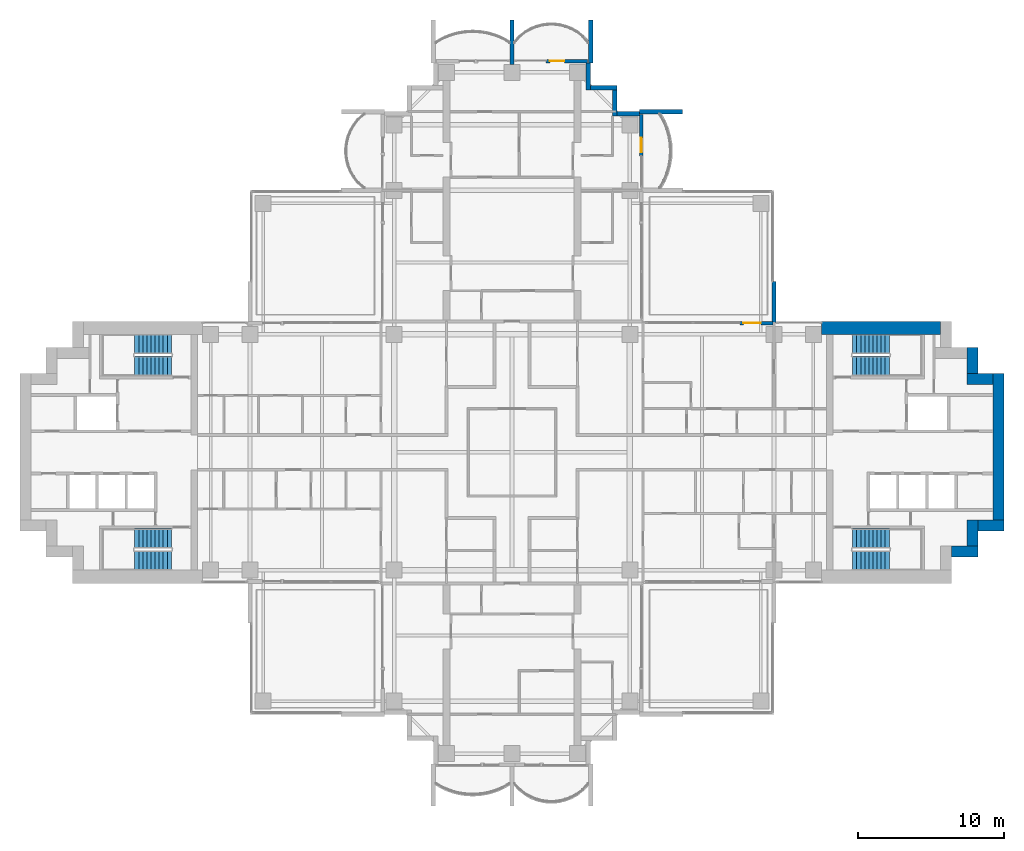
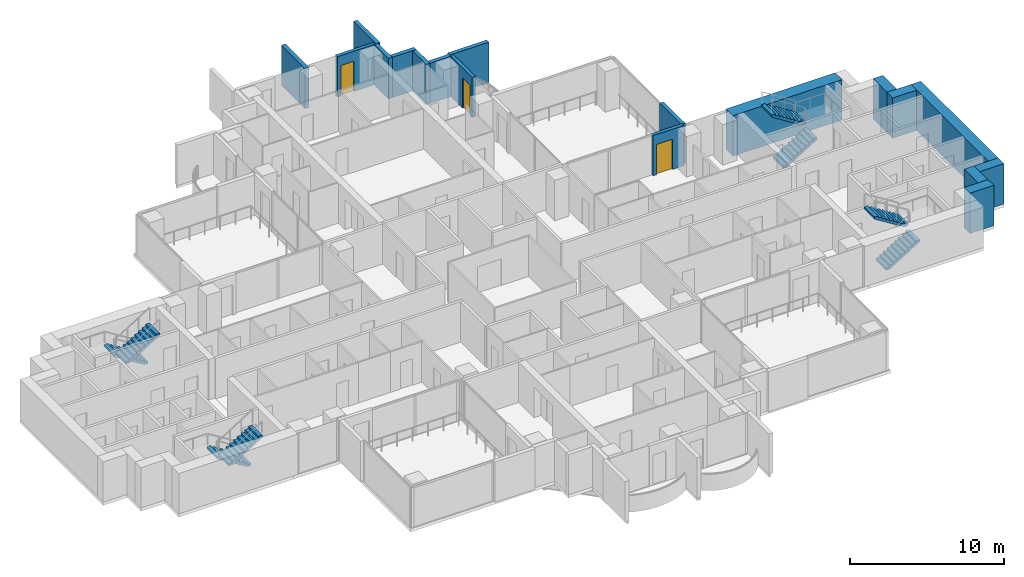
# One storey, part 15 of 19: 18 walls, 8 stair flights, 3 doors, 3 openings, 4 elements without a shape of their own.
"""IFC4 building model written with IfcOpenShell, lengths in metres."""

from ifc_helpers import new_model, si_unit, direction, frame, frame_2d, origin, place, context, subcontext, project, spatial, polyline, rectangle, outline, extrude, material, layer, layer_set, type_object, element, fill, aggregate, save


model = new_model("IFC4")

# Units and contexts
model_context = context("Model", 3, precision=1e-05, world=origin(), true_north=direction((0.0, 1.0)))
body_context = subcontext(model_context, "Body", "Model", "MODEL_VIEW")
ifc_project = project(units=[si_unit("LENGTHUNIT", "METRE"), si_unit("AREAUNIT", "SQUARE_METRE"), si_unit("VOLUMEUNIT", "CUBIC_METRE"), si_unit("PLANEANGLEUNIT", "RADIAN"), si_unit("MASSUNIT", "GRAM", prefix="KILO")], contexts=[model_context])

# Site, building, storey
site_placement = place(None, origin())
site = spatial("IfcSite", under=ifc_project, at=site_placement, CompositionType="ELEMENT")
building_placement = place(site_placement, origin())
building = spatial("IfcBuilding", under=site, at=building_placement, Name="Perihelion Cross Residences", CompositionType="ELEMENT")
storey_placement = place(building_placement, frame((0.0, 0.0, 151.39990234375)))
storey = spatial("IfcBuildingStorey", under=building, at=storey_placement, Name="L37", CompositionType="ELEMENT", Elevation=151.39990234375)

# Wall, opening, door
ifc_material_1 = material(Name="Concrete C30/37, bronze-clad", Category="concrete")
ifc_layer_1 = layer(ifc_material_1, 0.25)
ifc_layer_set_1 = layer_set([ifc_layer_1], Name="Bronze-clad pier wall 250")
wall_type_1 = type_object("IfcWallType", Name="Bronze-clad pier wall 250", PredefinedType="SOLIDWALL", material=ifc_layer_set_1)
wall_1_placement = place(storey_placement, frame((17.93994140625, 8.875, 0.0), z_axis=(0.0, 0.0, 1.0), x_axis=(-1.0, 0.0, 0.0)))
wall_1 = element("IfcWall", 1, at=wall_1_placement, inside=storey, type_object=wall_type_1, Name="Wall FW1 L37 east side north bay 2 pier", PredefinedType="SOLIDWALL", context=body_context, shape_type="SweptSolid", body=[
    extrude(rectangle(XDim=2.2900390625, YDim=0.25, at=frame_2d((1.14501953125, 0.0))), origin(), (0.0, 0.0, 1.0), 3.2001953125),
])
opening_1_placement = place(wall_1_placement, frame((0.840087890625, 0.0, 0.0)))
opening_1 = element("IfcOpeningElement", 2, at=opening_1_placement, cuts=wall_1, Name="Opening L37.E01", PredefinedType="OPENING", context=body_context, shape_type="SweptSolid", body=[
    extrude(rectangle(XDim=1.199951171875, YDim=2.39990234375, at=frame_2d((0.60009765625, 1.199951171875))), frame((0.0, 0.135009765625, 0.0), z_axis=(0.0, -1.0, 0.0), x_axis=(1.0, 0.0, 0.0)), (0.0, 0.0, 1.0), 0.27001953125),
])
ifc_material_2 = material(Name="Bronze anodised aluminium, glazed", Category="aluminium")
door_type_1 = type_object("IfcDoorType", Name="Balcony door 1200 x 2400", OperationType="NOTDEFINED", PredefinedType="DOOR", material=ifc_material_2)
door_1_placement = place(opening_1_placement, origin())
door_1 = element("IfcDoor", 3, at=door_1_placement, inside=storey, type_object=door_type_1, Name="Door L37.E01 east side north bay 2", OperationType="SINGLE_SWING_RIGHT", OverallHeight=2.39990234375, OverallWidth=1.199951171875, PredefinedType="DOOR", context=body_context, shape_type="SweptSolid", body=[
    extrude(rectangle(XDim=1.199951171875, YDim=2.39990234375, at=frame_2d((0.60009765625, 1.199951171875))), frame((0.0, 0.02490234375, 0.0), z_axis=(0.0, -1.0, 0.0), x_axis=(1.0, 0.0, 0.0)), (0.0, 0.0, 1.0), 0.050048828125),
])
fill(opening_1, door_1)

wall_2_placement = place(storey_placement, frame((8.875, 20.35009765625, 0.0), z_axis=(0.0, 0.0, 1.0), x_axis=(0.0, 1.0, 0.0)))
wall_2 = element("IfcWall", 4, at=wall_2_placement, inside=storey, type_object=wall_type_1, Name="Wall FW1 L37 north side east bay 2 pier", PredefinedType="SOLIDWALL", context=body_context, shape_type="SweptSolid", body=[
    extrude(rectangle(XDim=2.849853515625, YDim=0.25, at=frame_2d((1.4248046875, 0.0))), origin(), (0.0, 0.0, 1.0), 3.2001953125),
])
opening_2_placement = place(wall_2_placement, frame((0.25, 0.0, 0.0)))
opening_2 = element("IfcOpeningElement", 5, at=opening_2_placement, cuts=wall_2, Name="Opening L37.E03", PredefinedType="OPENING", context=body_context, shape_type="SweptSolid", body=[
    extrude(rectangle(XDim=1.0, YDim=2.39990234375, at=frame_2d((0.5, 1.199951171875))), frame((0.0, 0.135009765625, 0.0), z_axis=(0.0, -1.0, 0.0), x_axis=(1.0, 0.0, 0.0)), (0.0, 0.0, 1.0), 0.27001953125),
])
ifc_material_3 = material(Name="Bronze anodised aluminium, glazed", Category="aluminium")
door_type_2 = type_object("IfcDoorType", Name="Balcony door 1000 x 2400", OperationType="NOTDEFINED", PredefinedType="DOOR", material=ifc_material_3)
door_2_placement = place(opening_2_placement, origin())
door_2 = element("IfcDoor", 6, at=door_2_placement, inside=storey, type_object=door_type_2, Name="Door L37.E03 north side east bay 2", OperationType="SINGLE_SWING_RIGHT", OverallHeight=2.39990234375, OverallWidth=1.0, PredefinedType="DOOR", context=body_context, shape_type="SweptSolid", body=[
    extrude(rectangle(XDim=1.0, YDim=2.39990234375, at=frame_2d((0.5, 1.199951171875))), frame((0.0, 0.02490234375, 0.0), z_axis=(0.0, -1.0, 0.0), x_axis=(1.0, 0.0, 0.0)), (0.0, 0.0, 1.0), 0.050048828125),
])
fill(opening_2, door_2)

wall_3_placement = place(storey_placement, frame((5.199951171875, 26.875, 0.0), z_axis=(0.0, 0.0, 1.0), x_axis=(-1.0, 0.0, 0.0)))
wall_3 = element("IfcWall", 7, at=wall_3_placement, inside=storey, type_object=wall_type_1, Name="Wall FW1 L37 north tip north bay 1 pier", PredefinedType="SOLIDWALL", context=body_context, shape_type="SweptSolid", body=[
    extrude(rectangle(XDim=2.849853515625, YDim=0.25, at=frame_2d((1.4248046875, 0.0))), origin(), (0.0, 0.0, 1.0), 3.2001953125),
])
opening_3_placement = place(wall_3_placement, frame((1.60009765625, 0.0, 0.0)))
opening_3 = element("IfcOpeningElement", 8, at=opening_3_placement, cuts=wall_3, Name="Opening L37.E04", PredefinedType="OPENING", context=body_context, shape_type="SweptSolid", body=[
    extrude(rectangle(XDim=1.0, YDim=2.39990234375, at=frame_2d((0.5, 1.199951171875))), frame((0.0, 0.135009765625, 0.0), z_axis=(0.0, -1.0, 0.0), x_axis=(1.0, 0.0, 0.0)), (0.0, 0.0, 1.0), 0.27001953125),
])
door_3_placement = place(opening_3_placement, origin())
door_3 = element("IfcDoor", 9, at=door_3_placement, inside=storey, type_object=door_type_2, Name="Door L37.E04 north tip north bay 1", OperationType="SINGLE_SWING_LEFT", OverallHeight=2.39990234375, OverallWidth=1.0, PredefinedType="DOOR", context=body_context, shape_type="SweptSolid", body=[
    extrude(rectangle(XDim=1.0, YDim=2.39990234375, at=frame_2d((0.5, 1.199951171875))), frame((0.0, 0.02490234375, 0.0), z_axis=(0.0, -1.0, 0.0), x_axis=(1.0, 0.0, 0.0)), (0.0, 0.0, 1.0), 0.050048828125),
])
fill(opening_3, door_3)

# Walls
ifc_material_4 = material(Name="Concrete C30/37, bronze-clad", Category="concrete")
ifc_layer_2 = layer(ifc_material_4, 0.300048828125)
ifc_layer_set_2 = layer_set([ifc_layer_2], Name="Bronze-clad serration wall 300")
wall_type_2 = type_object("IfcWallType", Name="Bronze-clad serration wall 300", PredefinedType="SOLIDWALL", material=ifc_layer_set_2)
wall_4_placement = place(storey_placement, frame((8.75, 23.25, 0.0), z_axis=(0.0, 0.0, 1.0), x_axis=(-1.0, 0.0, 0.0)))
element("IfcWall", 10, at=wall_4_placement, inside=storey, type_object=wall_type_2, Name="Wall SR1 L37 north corner north-east 1", PredefinedType="SOLIDWALL", context=body_context, shape_type="SweptSolid", body=[
    extrude(rectangle(XDim=1.550048828125, YDim=0.300048828125, at=frame_2d((0.77490234375, 0.0))), origin(), (0.0, 0.0, 1.0), 3.2001953125),
])
wall_5_placement = place(storey_placement, frame((7.050048828125, 23.10009765625, 0.0), z_axis=(0.0, 0.0, 1.0), x_axis=(0.0, 1.0, 0.0)))
element("IfcWall", 11, at=wall_5_placement, inside=storey, type_object=wall_type_2, Name="Wall SR1 L37 north corner north-east 2", PredefinedType="SOLIDWALL", context=body_context, shape_type="SweptSolid", body=[
    extrude(rectangle(XDim=1.7998046875, YDim=0.300048828125, at=frame_2d((0.89990234375, 0.0))), origin(), (0.0, 0.0, 1.0), 3.2001953125),
])
wall_6_placement = place(storey_placement, frame((7.199951171875, 25.050048828125, 0.0), z_axis=(0.0, 0.0, 1.0), x_axis=(-1.0, 0.0, 0.0)))
element("IfcWall", 12, at=wall_6_placement, inside=storey, type_object=wall_type_2, Name="Wall SR1 L37 north corner north-east 3", PredefinedType="SOLIDWALL", context=body_context, shape_type="SweptSolid", body=[
    extrude(rectangle(XDim=1.800048828125, YDim=0.300048828125, at=frame_2d((0.89990234375, 0.0))), origin(), (0.0, 0.0, 1.0), 3.2001953125),
])
wall_7_placement = place(storey_placement, frame((5.25, 24.89990234375, 0.0), z_axis=(0.0, 0.0, 1.0), x_axis=(0.0, 1.0, 0.0)))
element("IfcWall", 13, at=wall_7_placement, inside=storey, type_object=wall_type_2, Name="Wall SR1 L37 north corner north-east 4", PredefinedType="SOLIDWALL", context=body_context, shape_type="SweptSolid", body=[
    extrude(rectangle(XDim=1.85009765625, YDim=0.300048828125, at=frame_2d((0.925048828125, 0.0))), origin(), (0.0, 0.0, 1.0), 3.2001953125),
])
ifc_material_5 = material(Name="Concrete C60/75", Category="concrete")
ifc_layer_3 = layer(ifc_material_5, 0.75)
ifc_layer_set_3 = layer_set([ifc_layer_3], Name="Core wall, outer 750")
wall_type_3 = type_object("IfcWallType", Name="Core wall, outer 750", PredefinedType="SHEAR", material=ifc_layer_set_3)
for number, where, z_axis, x_axis, name in (
    (14, (30.199951171875, -6.824951171875, 0.0), (0.0, 0.0, 1.0), (1.0, 0.0, 0.0), "East core core wall, outer"),
    (15, (31.625, -6.449951171875, 0.0), (0.0, 0.0, 1.0), (0.0, 1.0, 0.0), "East core core wall, outer"),
    (16, (32.0, -5.02490234375, 0.0), (0.0, 0.0, 1.0), (1.0, 0.0, 0.0), "East core core wall, outer"),
):
    element("IfcWall", number, at=place(storey_placement, frame(where, z_axis=z_axis, x_axis=x_axis)), inside=storey, type_object=wall_type_3, Name=name, PredefinedType="SHEAR", context=body_context, shape_type="SweptSolid", body=[
        extrude(rectangle(XDim=1.800048828125, YDim=0.75, at=frame_2d((0.89990234375, 0.0))), origin(), (0.0, 0.0, 1.0), 3.2001953125),
    ])
wall_8_placement = place(storey_placement, frame((33.425048828125, -4.64990234375, 0.0), z_axis=(0.0, 0.0, 1.0), x_axis=(0.0, 1.0, 0.0)))
element("IfcWall", 17, at=wall_8_placement, inside=storey, type_object=wall_type_3, Name="East core core wall, outer", PredefinedType="SHEAR", context=body_context, shape_type="SweptSolid", body=[
    extrude(rectangle(XDim=10.0498046875, YDim=0.75, at=frame_2d((5.02490234375, 0.0))), origin(), (0.0, 0.0, 1.0), 3.2001953125),
])
for number, where, z_axis, x_axis, name in (
    (18, (31.25, 5.02490234375, 0.0), (0.0, 0.0, 1.0), (1.0, 0.0, 0.0), "East core core wall, outer"),
    (19, (31.625, 5.39990234375, 0.0), (0.0, 0.0, 1.0), (0.0, 1.0, 0.0), "East core core wall, outer"),
):
    element("IfcWall", number, at=place(storey_placement, frame(where, z_axis=z_axis, x_axis=x_axis)), inside=storey, type_object=wall_type_3, Name=name, PredefinedType="SHEAR", context=body_context, shape_type="SweptSolid", body=[
        extrude(rectangle(XDim=1.800048828125, YDim=0.75, at=frame_2d((0.89990234375, 0.0))), origin(), (0.0, 0.0, 1.0), 3.2001953125),
    ])
ifc_material_6 = material(Name="Concrete C60/75", Category="concrete")
ifc_layer_4 = layer(ifc_material_6, 0.89990234375)
ifc_layer_set_4 = layer_set([ifc_layer_4], Name="Core wall, outer 900")
wall_type_4 = type_object("IfcWallType", Name="Core wall, outer 900", PredefinedType="SHEAR", material=ifc_layer_set_4)
wall_9_placement = place(storey_placement, frame((21.25, 8.550048828125, 0.0), z_axis=(0.0, 0.0, 1.0), x_axis=(1.0, 0.0, 0.0)))
element("IfcWall", 20, at=wall_9_placement, inside=storey, type_object=wall_type_4, Name="East core core wall, outer", PredefinedType="SHEAR", context=body_context, shape_type="SweptSolid", body=[
    extrude(rectangle(XDim=8.199951171875, YDim=0.89990234375, at=frame_2d((4.10009765625, 0.0))), origin(), (0.0, 0.0, 1.0), 3.2001953125),
])
ifc_material_7 = material(Name="Precast concrete C50/60", Category="concrete")
ifc_layer_5 = layer(ifc_material_7, 0.300048828125)
ifc_layer_set_5 = layer_set([ifc_layer_5], Name="Precast concrete C50/60 blade wall 300")
wall_type_5 = type_object("IfcWallType", Name="Precast concrete C50/60 blade wall 300", PredefinedType="SOLIDWALL", material=ifc_layer_set_5)
wall_10_placement = place(storey_placement, frame((0.0, 26.64990234375, 0.0), z_axis=(0.0, 0.0, 1.0), x_axis=(0.0, 1.0, 0.0)))
element("IfcWall", 21, at=wall_10_placement, inside=storey, type_object=wall_type_5, Name="Wall BL1 L37 no. 9", PredefinedType="SOLIDWALL", context=body_context, shape_type="SweptSolid", body=[
    extrude(rectangle(XDim=3.050048828125, YDim=0.300048828125, at=frame_2d((1.52490234375, 0.0))), origin(), (0.0, 0.0, 1.0), 3.2001953125),
])
for number, where, z_axis, x_axis, name in (
    (22, (5.39990234375, 26.75, 0.0), (0.0, 0.0, 1.0), (0.0, 1.0, 0.0), "Wall BL1 L37 no. 13"),
    (23, (8.75, 23.39990234375, 0.0), (0.0, 0.0, 1.0), (1.0, 0.0, 0.0), "Wall BL1 L37 no. 16"),
):
    element("IfcWall", number, at=place(storey_placement, frame(where, z_axis=z_axis, x_axis=x_axis)), inside=storey, type_object=wall_type_5, Name=name, PredefinedType="SOLIDWALL", context=body_context, shape_type="SweptSolid", body=[
        extrude(rectangle(XDim=2.949951171875, YDim=0.300048828125, at=frame_2d((1.47509765625, 0.0))), origin(), (0.0, 0.0, 1.0), 3.2001953125),
    ])
wall_11_placement = place(storey_placement, frame((18.0, 8.919921875, 0.0), z_axis=(0.0, 0.0, 1.0), x_axis=(0.0, 1.0, 0.0)))
element("IfcWall", 24, at=wall_11_placement, inside=storey, type_object=wall_type_5, Name="Wall BL1 L37 no. 11", PredefinedType="SOLIDWALL", context=body_context, shape_type="SweptSolid", body=[
    extrude(rectangle(XDim=2.820068359375, YDim=0.300048828125, at=frame_2d((1.41015625, 0.0))), origin(), (0.0, 0.0, 1.0), 3.2001953125),
])

# Stair, stair flights
ifc_material_8 = material(Name="Concrete C40/50", Category="concrete")
stair_type = type_object("IfcStairType", Name="Exit stair, half-turn", PredefinedType="HALF_TURN_STAIR", material=ifc_material_8)
stair_1_placement = place(storey_placement, origin())
stair_1 = element("IfcStair", 25, at=stair_1_placement, inside=storey, type_object=stair_type, Name="L37 East core exit stair 1", PredefinedType="HALF_TURN_STAIR")
ifc_material_9 = material(Name="Concrete C40/50", Category="concrete")
stair_flight_type = type_object("IfcStairFlightType", Name="Exit stair flight", PredefinedType="STRAIGHT", material=ifc_material_9)
stair_flight_1_placement = place(storey_placement, frame((23.39990234375, 5.925048828125, 0.0), z_axis=(0.0, 0.0, 1.0), x_axis=(1.0, 0.0, 0.0)))
stair_flight_1 = element("IfcStairFlight", 26, at=stair_flight_1_placement, type_object=stair_flight_type, Name="ST-E1 flight 1", NumberOfRisers=10, NumberOfTreads=9, PredefinedType="STRAIGHT", RiserHeight=0.175, TreadLength=0.28, context=body_context, shape_type="SweptSolid", body=[
    extrude(outline(polyline([(0.0, 0.0), (0.0, 0.175048828125), (0.280029296875, 0.175048828125), (0.280029296875, 0.35009765625), (0.56005859375, 0.35009765625), (0.56005859375, 0.52490234375), (0.840087890625, 0.52490234375), (0.840087890625, 0.699951171875), (1.1201171875, 0.699951171875), (1.1201171875, 0.875), (1.39990234375, 0.875), (1.39990234375, 1.050048828125), (1.679931640625, 1.050048828125), (1.679931640625, 1.22509765625), (1.9599609375, 1.22509765625), (1.9599609375, 1.39990234375), (2.239990234375, 1.39990234375), (2.239990234375, 1.574951171875), (2.52001953125, 1.574951171875), (2.52001953125, 1.75), (2.52001953125, 1.398193359375), (0.28271484375, 0.0), (0.0, 0.0)])), frame((0.0, 0.675048828125, 0.0), z_axis=(0.0, -1.0, 0.0), x_axis=(1.0, 0.0, 0.0)), (0.0, 0.0, 1.0), 1.35009765625),
])
stair_flight_2_placement = place(storey_placement, frame((25.919921875, 7.425048828125, 1.75), z_axis=(0.0, 0.0, 1.0), x_axis=(-1.0, 0.0, 0.0)))
stair_flight_2 = element("IfcStairFlight", 27, at=stair_flight_2_placement, type_object=stair_flight_type, Name="ST-E1 flight 2", NumberOfRisers=10, NumberOfTreads=9, PredefinedType="STRAIGHT", RiserHeight=0.175, TreadLength=0.28, context=body_context, shape_type="SweptSolid", body=[
    extrude(outline(polyline([(0.0, 0.0), (0.0, 0.175048828125), (0.280029296875, 0.175048828125), (0.280029296875, 0.35009765625), (0.56005859375, 0.35009765625), (0.56005859375, 0.52490234375), (0.840087890625, 0.52490234375), (0.840087890625, 0.699951171875), (1.1201171875, 0.699951171875), (1.1201171875, 0.875), (1.39990234375, 0.875), (1.39990234375, 1.050048828125), (1.679931640625, 1.050048828125), (1.679931640625, 1.22509765625), (1.9599609375, 1.22509765625), (1.9599609375, 1.39990234375), (2.239990234375, 1.39990234375), (2.239990234375, 1.574951171875), (2.52001953125, 1.574951171875), (2.52001953125, 1.75), (2.52001953125, 1.398193359375), (0.28271484375, 0.0), (0.0, 0.0)])), frame((0.0, 0.675048828125, 0.0), z_axis=(0.0, -1.0, 0.0), x_axis=(1.0, 0.0, 0.0)), (0.0, 0.0, 1.0), 1.35009765625),
])
aggregate(stair_1, [stair_flight_1, stair_flight_2])

stair_2_placement = place(storey_placement, origin())
stair_2 = element("IfcStair", 28, at=stair_2_placement, inside=storey, type_object=stair_type, Name="L37 East core exit stair 2", PredefinedType="HALF_TURN_STAIR")
stair_flight_3_placement = place(storey_placement, frame((23.39990234375, -7.425048828125, 0.0), z_axis=(0.0, 0.0, 1.0), x_axis=(1.0, 0.0, 0.0)))
stair_flight_3 = element("IfcStairFlight", 29, at=stair_flight_3_placement, type_object=stair_flight_type, Name="ST-E2 flight 1", NumberOfRisers=10, NumberOfTreads=9, PredefinedType="STRAIGHT", RiserHeight=0.175, TreadLength=0.28, context=body_context, shape_type="SweptSolid", body=[
    extrude(outline(polyline([(0.0, 0.0), (0.0, 0.175048828125), (0.280029296875, 0.175048828125), (0.280029296875, 0.35009765625), (0.56005859375, 0.35009765625), (0.56005859375, 0.52490234375), (0.840087890625, 0.52490234375), (0.840087890625, 0.699951171875), (1.1201171875, 0.699951171875), (1.1201171875, 0.875), (1.39990234375, 0.875), (1.39990234375, 1.050048828125), (1.679931640625, 1.050048828125), (1.679931640625, 1.22509765625), (1.9599609375, 1.22509765625), (1.9599609375, 1.39990234375), (2.239990234375, 1.39990234375), (2.239990234375, 1.574951171875), (2.52001953125, 1.574951171875), (2.52001953125, 1.75), (2.52001953125, 1.398193359375), (0.28271484375, 0.0), (0.0, 0.0)])), frame((0.0, 0.675048828125, 0.0), z_axis=(0.0, -1.0, 0.0), x_axis=(1.0, 0.0, 0.0)), (0.0, 0.0, 1.0), 1.35009765625),
])
stair_flight_4_placement = place(storey_placement, frame((25.919921875, -5.925048828125, 1.75), z_axis=(0.0, 0.0, 1.0), x_axis=(-1.0, 0.0, 0.0)))
stair_flight_4 = element("IfcStairFlight", 30, at=stair_flight_4_placement, type_object=stair_flight_type, Name="ST-E2 flight 2", NumberOfRisers=10, NumberOfTreads=9, PredefinedType="STRAIGHT", RiserHeight=0.175, TreadLength=0.28, context=body_context, shape_type="SweptSolid", body=[
    extrude(outline(polyline([(0.0, 0.0), (0.0, 0.175048828125), (0.280029296875, 0.175048828125), (0.280029296875, 0.35009765625), (0.56005859375, 0.35009765625), (0.56005859375, 0.52490234375), (0.840087890625, 0.52490234375), (0.840087890625, 0.699951171875), (1.1201171875, 0.699951171875), (1.1201171875, 0.875), (1.39990234375, 0.875), (1.39990234375, 1.050048828125), (1.679931640625, 1.050048828125), (1.679931640625, 1.22509765625), (1.9599609375, 1.22509765625), (1.9599609375, 1.39990234375), (2.239990234375, 1.39990234375), (2.239990234375, 1.574951171875), (2.52001953125, 1.574951171875), (2.52001953125, 1.75), (2.52001953125, 1.398193359375), (0.28271484375, 0.0), (0.0, 0.0)])), frame((0.0, 0.675048828125, 0.0), z_axis=(0.0, -1.0, 0.0), x_axis=(1.0, 0.0, 0.0)), (0.0, 0.0, 1.0), 1.35009765625),
])
aggregate(stair_2, [stair_flight_3, stair_flight_4])

stair_3_placement = place(storey_placement, origin())
stair_3 = element("IfcStair", 31, at=stair_3_placement, inside=storey, type_object=stair_type, Name="L37 West core exit stair 1", PredefinedType="HALF_TURN_STAIR")
stair_flight_5_placement = place(storey_placement, frame((-23.39990234375, 7.425048828125, 0.0), z_axis=(0.0, 0.0, 1.0), x_axis=(-1.0, 0.0, 0.0)))
stair_flight_5 = element("IfcStairFlight", 32, at=stair_flight_5_placement, type_object=stair_flight_type, Name="ST-W1 flight 1", NumberOfRisers=10, NumberOfTreads=9, PredefinedType="STRAIGHT", RiserHeight=0.175, TreadLength=0.28, context=body_context, shape_type="SweptSolid", body=[
    extrude(outline(polyline([(0.0, 0.0), (0.0, 0.175048828125), (0.280029296875, 0.175048828125), (0.280029296875, 0.35009765625), (0.56005859375, 0.35009765625), (0.56005859375, 0.52490234375), (0.840087890625, 0.52490234375), (0.840087890625, 0.699951171875), (1.1201171875, 0.699951171875), (1.1201171875, 0.875), (1.39990234375, 0.875), (1.39990234375, 1.050048828125), (1.679931640625, 1.050048828125), (1.679931640625, 1.22509765625), (1.9599609375, 1.22509765625), (1.9599609375, 1.39990234375), (2.239990234375, 1.39990234375), (2.239990234375, 1.574951171875), (2.52001953125, 1.574951171875), (2.52001953125, 1.75), (2.52001953125, 1.398193359375), (0.28271484375, 0.0), (0.0, 0.0)])), frame((0.0, 0.675048828125, 0.0), z_axis=(0.0, -1.0, 0.0), x_axis=(1.0, 0.0, 0.0)), (0.0, 0.0, 1.0), 1.35009765625),
])
stair_flight_6_placement = place(storey_placement, frame((-25.919921875, 5.925048828125, 1.75), z_axis=(0.0, 0.0, 1.0), x_axis=(1.0, 0.0, 0.0)))
stair_flight_6 = element("IfcStairFlight", 33, at=stair_flight_6_placement, type_object=stair_flight_type, Name="ST-W1 flight 2", NumberOfRisers=10, NumberOfTreads=9, PredefinedType="STRAIGHT", RiserHeight=0.175, TreadLength=0.28, context=body_context, shape_type="SweptSolid", body=[
    extrude(outline(polyline([(0.0, 0.0), (0.0, 0.175048828125), (0.280029296875, 0.175048828125), (0.280029296875, 0.35009765625), (0.56005859375, 0.35009765625), (0.56005859375, 0.52490234375), (0.840087890625, 0.52490234375), (0.840087890625, 0.699951171875), (1.1201171875, 0.699951171875), (1.1201171875, 0.875), (1.39990234375, 0.875), (1.39990234375, 1.050048828125), (1.679931640625, 1.050048828125), (1.679931640625, 1.22509765625), (1.9599609375, 1.22509765625), (1.9599609375, 1.39990234375), (2.239990234375, 1.39990234375), (2.239990234375, 1.574951171875), (2.52001953125, 1.574951171875), (2.52001953125, 1.75), (2.52001953125, 1.398193359375), (0.28271484375, 0.0), (0.0, 0.0)])), frame((0.0, 0.675048828125, 0.0), z_axis=(0.0, -1.0, 0.0), x_axis=(1.0, 0.0, 0.0)), (0.0, 0.0, 1.0), 1.35009765625),
])
aggregate(stair_3, [stair_flight_5, stair_flight_6])

stair_4_placement = place(storey_placement, origin())
stair_4 = element("IfcStair", 34, at=stair_4_placement, inside=storey, type_object=stair_type, Name="L37 West core exit stair 2", PredefinedType="HALF_TURN_STAIR")
stair_flight_7_placement = place(storey_placement, frame((-23.39990234375, -5.925048828125, 0.0), z_axis=(0.0, 0.0, 1.0), x_axis=(-1.0, 0.0, 0.0)))
stair_flight_7 = element("IfcStairFlight", 35, at=stair_flight_7_placement, type_object=stair_flight_type, Name="ST-W2 flight 1", NumberOfRisers=10, NumberOfTreads=9, PredefinedType="STRAIGHT", RiserHeight=0.175, TreadLength=0.28, context=body_context, shape_type="SweptSolid", body=[
    extrude(outline(polyline([(0.0, 0.0), (0.0, 0.175048828125), (0.280029296875, 0.175048828125), (0.280029296875, 0.35009765625), (0.56005859375, 0.35009765625), (0.56005859375, 0.52490234375), (0.840087890625, 0.52490234375), (0.840087890625, 0.699951171875), (1.1201171875, 0.699951171875), (1.1201171875, 0.875), (1.39990234375, 0.875), (1.39990234375, 1.050048828125), (1.679931640625, 1.050048828125), (1.679931640625, 1.22509765625), (1.9599609375, 1.22509765625), (1.9599609375, 1.39990234375), (2.239990234375, 1.39990234375), (2.239990234375, 1.574951171875), (2.52001953125, 1.574951171875), (2.52001953125, 1.75), (2.52001953125, 1.398193359375), (0.28271484375, 0.0), (0.0, 0.0)])), frame((0.0, 0.675048828125, 0.0), z_axis=(0.0, -1.0, 0.0), x_axis=(1.0, 0.0, 0.0)), (0.0, 0.0, 1.0), 1.35009765625),
])
stair_flight_8_placement = place(storey_placement, frame((-25.919921875, -7.425048828125, 1.75), z_axis=(0.0, 0.0, 1.0), x_axis=(1.0, 0.0, 0.0)))
stair_flight_8 = element("IfcStairFlight", 36, at=stair_flight_8_placement, type_object=stair_flight_type, Name="ST-W2 flight 2", NumberOfRisers=10, NumberOfTreads=9, PredefinedType="STRAIGHT", RiserHeight=0.175, TreadLength=0.28, context=body_context, shape_type="SweptSolid", body=[
    extrude(outline(polyline([(0.0, 0.0), (0.0, 0.175048828125), (0.280029296875, 0.175048828125), (0.280029296875, 0.35009765625), (0.56005859375, 0.35009765625), (0.56005859375, 0.52490234375), (0.840087890625, 0.52490234375), (0.840087890625, 0.699951171875), (1.1201171875, 0.699951171875), (1.1201171875, 0.875), (1.39990234375, 0.875), (1.39990234375, 1.050048828125), (1.679931640625, 1.050048828125), (1.679931640625, 1.22509765625), (1.9599609375, 1.22509765625), (1.9599609375, 1.39990234375), (2.239990234375, 1.39990234375), (2.239990234375, 1.574951171875), (2.52001953125, 1.574951171875), (2.52001953125, 1.75), (2.52001953125, 1.398193359375), (0.28271484375, 0.0), (0.0, 0.0)])), frame((0.0, 0.675048828125, 0.0), z_axis=(0.0, -1.0, 0.0), x_axis=(1.0, 0.0, 0.0)), (0.0, 0.0, 1.0), 1.35009765625),
])
aggregate(stair_4, [stair_flight_7, stair_flight_8])

save(model, "model.ifc")
